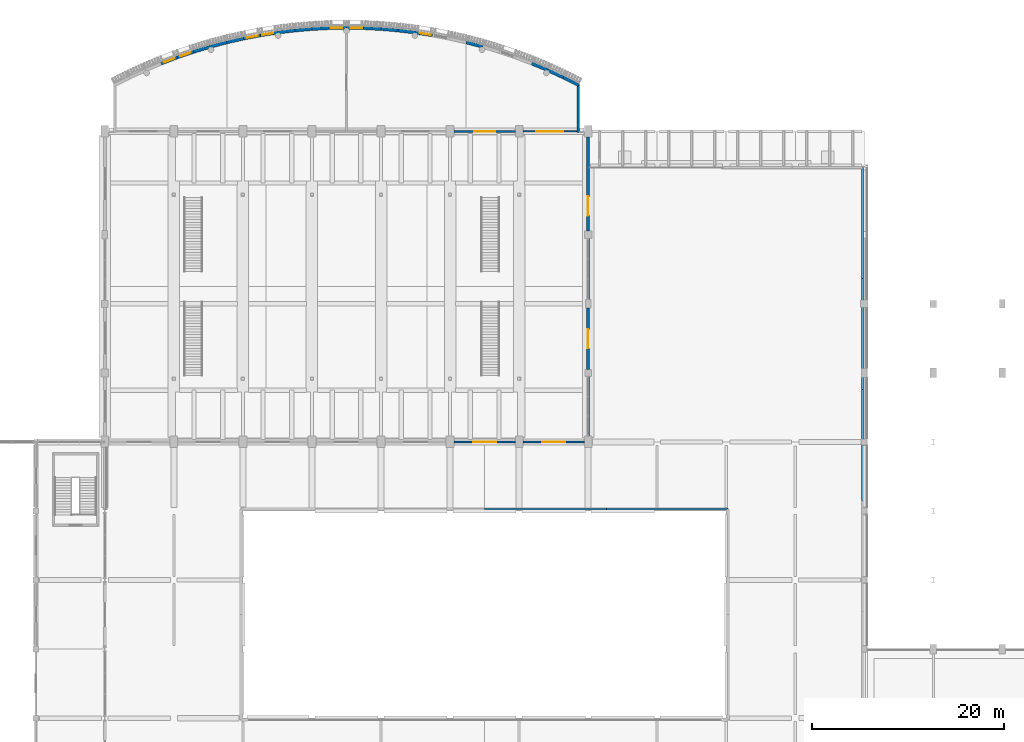
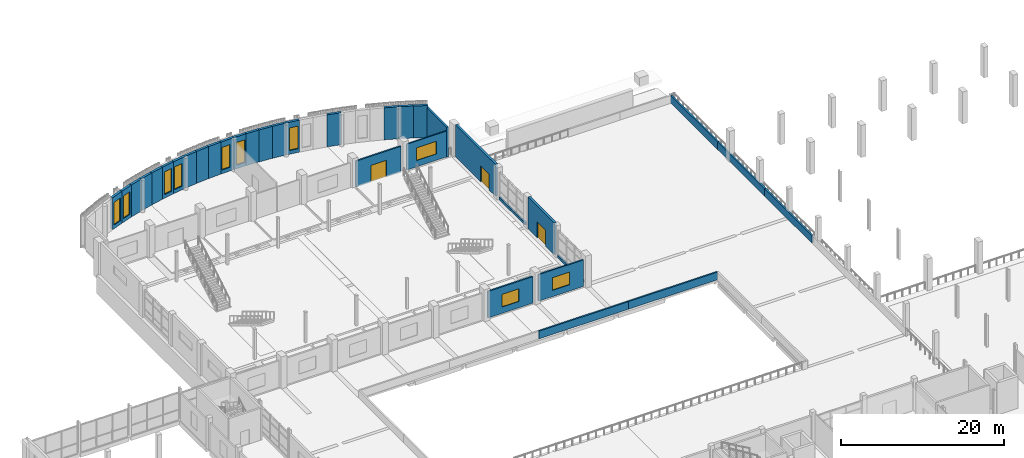
# One storey, part 62 of 82: 34 walls, 10 windows, 3 doors, 13 openings.
"""IFC4 building model written with IfcOpenShell, lengths in metres."""

import ifcopenshell
import ifcopenshell.guid

model = None  # the IFC model being written
_history = None  # IfcOwnerHistory: only IFC2X3 demands one
_inside = {}  # id of a spatial element -> (the spatial element, [elements in it])
_under = {}  # id of a project, library or spatial element -> (it, [spatial elements below it])
_declared = {}  # id of a project -> (the project, [libraries it declares])
_typed = {}  # id of a type object -> (the type object, [elements of that type])
_made_of = {}  # id of a material, layer set ... -> (it, [elements and type objects made of it])


def new_model(schema):
    """Start an empty IFC model of exactly this schema.

    Asked for "IFC4X3", IfcOpenShell would pick the latest addendum, in which some entities
    have other attributes; the version numbers below select the first issue.
    IFC2X3 requires an IfcOwnerHistory on every rooted entity: one is made here for all.
    """
    global model, _history
    if schema == "IFC4X3":
        model = ifcopenshell.file(schema_version=(4, 3, 0, 0))
    else:
        model = ifcopenshell.file(schema=schema)
    _inside.clear()
    _under.clear()
    _declared.clear()
    _typed.clear()
    _made_of.clear()
    _history = None
    if model.schema == "IFC2X3":
        org = make("IfcOrganization", Name="unknown")
        user = make(
            "IfcPersonAndOrganization",
            ThePerson=make("IfcPerson", FamilyName="unknown"),
            TheOrganization=org,
        )
        app = make(
            "IfcApplication",
            ApplicationDeveloper=org,
            Version="unknown",
            ApplicationFullName="unknown",
            ApplicationIdentifier="unknown",
        )
        _history = make(
            "IfcOwnerHistory",
            OwningUser=user,
            OwningApplication=app,
            ChangeAction="ADDED",
            CreationDate=0,
        )
    return model


def make(cls, **values):
    """One entity of the class cls with the attributes given. An attribute that is None is left unset."""
    return model.create_entity(
        cls, **{name: value for name, value in values.items() if value is not None}
    )


def rooted(cls, **values):
    """An entity with a GlobalId (a new one), such as an element, a storey or a relation."""
    return make(cls, GlobalId=ifcopenshell.guid.new(), OwnerHistory=_history, **values)


def si_unit(unit_type, name, prefix=None):
    """IfcSIUnit, for example si_unit("LENGTHUNIT", "METRE", prefix="MILLI")."""
    return make("IfcSIUnit", UnitType=unit_type, Prefix=prefix, Name=name)


def assignment(units):
    """IfcUnitAssignment: the units of a project."""
    return None if units is None else make("IfcUnitAssignment", Units=units)


def point(xyz):
    """IfcCartesianPoint."""
    return None if xyz is None else make("IfcCartesianPoint", Coordinates=xyz)


def direction(xyz):
    """IfcDirection."""
    return None if xyz is None else make("IfcDirection", DirectionRatios=xyz)


def frame(location, z_axis=None, x_axis=None):
    """IfcAxis2Placement3D, a coordinate frame: its origin and axes. An axis left out is left unset."""
    return make(
        "IfcAxis2Placement3D",
        Location=point(location),
        Axis=direction(z_axis),
        RefDirection=direction(x_axis),
    )


def frame_2d(location, x_axis=None):
    """IfcAxis2Placement2D, a coordinate frame in the plane: its origin and x axis."""
    return make(
        "IfcAxis2Placement2D", Location=point(location), RefDirection=direction(x_axis)
    )


def origin():
    """The frame at (0, 0, 0) with its axes left unset."""
    return frame((0.0, 0.0, 0.0))


def place(relative_to, where):
    """IfcLocalPlacement: puts the frame where relative to a parent placement (None: the world)."""
    return make(
        "IfcLocalPlacement", PlacementRelTo=relative_to, RelativePlacement=where
    )


def context(
    kind, dimensions, precision=None, world=None, true_north=None, identifier=None
):
    """IfcGeometricRepresentationContext, for example the 3D "Model" context."""
    return make(
        "IfcGeometricRepresentationContext",
        ContextIdentifier=identifier,
        ContextType=kind,
        CoordinateSpaceDimension=dimensions,
        Precision=precision,
        WorldCoordinateSystem=world,
        TrueNorth=true_north,
    )


def subcontext(parent, identifier, kind, view, scale=None):
    """IfcGeometricRepresentationSubContext, for example "Body" below "Model"."""
    return make(
        "IfcGeometricRepresentationSubContext",
        ContextIdentifier=identifier,
        ContextType=kind,
        ParentContext=parent,
        TargetScale=scale,
        TargetView=view,
    )


def project(units=None, contexts=None):
    """IfcProject with its units and contexts."""
    return rooted(
        "IfcProject",
        Name="project",
        RepresentationContexts=contexts,
        UnitsInContext=assignment(units),
    )


def spatial(cls, under=None, at=None, **own):
    """A site, building, storey or space (cls), placed at a placement, below another one or the project."""
    s = rooted(cls, ObjectPlacement=at, **own)
    if under is not None:
        _under.setdefault(under.id(), (under, []))[1].append(s)
    return s


def polyline(points):
    """IfcPolyline through the points."""
    return make("IfcPolyline", Points=[point(p) for p in points])


def profile(cls, at=None, kind="AREA", **sizes):
    """A parametric profile (cls). Its sizes go by their IFC names, for example OverallWidth=200.0."""
    return make(cls, ProfileType=kind, Position=at, **sizes)


def rectangle(**sizes):
    """IfcRectangleProfileDef."""
    return profile("IfcRectangleProfileDef", **sizes)


def outline(outer, holes=None, kind="AREA"):
    """IfcArbitraryClosedProfileDef: a profile drawn as a closed curve; with holes, ...WithVoids."""
    if holes is None:
        return make("IfcArbitraryClosedProfileDef", ProfileType=kind, OuterCurve=outer)
    return make(
        "IfcArbitraryProfileDefWithVoids",
        ProfileType=kind,
        OuterCurve=outer,
        InnerCurves=holes,
    )


def extrude(swept, where, along, depth):
    """IfcExtrudedAreaSolid: the profile swept, set in the frame where, extruded along a direction by depth."""
    return make(
        "IfcExtrudedAreaSolid",
        SweptArea=swept,
        Position=where,
        ExtrudedDirection=direction(along),
        Depth=depth,
    )


def shape(context_of_items, identifier, shape_type, items):
    """IfcShapeRepresentation: the items that make up one representation, for example the "Body"."""
    return make(
        "IfcShapeRepresentation",
        ContextOfItems=context_of_items,
        RepresentationIdentifier=identifier,
        RepresentationType=shape_type,
        Items=items,
    )


def material(Name=None, Category=None):
    """IfcMaterial."""
    return make("IfcMaterial", Name=Name, Category=Category)


def layer(
    of_material, thickness, ventilated=None, Name=None, Category=None, Priority=None
):
    """IfcMaterialLayer: one layer of a wall or slab, of a material (None: an air gap)."""
    return make(
        "IfcMaterialLayer",
        Material=of_material,
        LayerThickness=thickness,
        IsVentilated=ventilated,
        Name=Name,
        Category=Category,
        Priority=Priority,
    )


def layer_set(layers, Name=None):
    """IfcMaterialLayerSet."""
    return make("IfcMaterialLayerSet", MaterialLayers=layers, LayerSetName=Name)


def made_of(thing, what):
    """Note that an element or type object is made of a material, layer set ...; save() writes the relation."""
    if what is not None:
        _made_of.setdefault(what.id(), (what, []))[1].append(thing)
    return thing


def type_object(cls, material=None, **own):
    """A type object (cls), such as IfcWallType, which elements share."""
    return made_of(rooted(cls, **own), material)


def element(
    cls,
    number,
    at=None,
    inside=None,
    cuts=None,
    type_object=None,
    material=None,
    context=None,
    identifier="Body",
    shape_type=None,
    held_by="IfcProductDefinitionShape",
    body=None,
    shapes=None,
    **own,
):
    """One element of the class cls, such as IfcWall. Its Tag is "e" and its number.

    at: its placement. inside: the storey or other place that contains it. cuts: it is an
    opening in that element (IfcRelVoidsElement). A single representation is given by context,
    identifier, shape_type and body (its items); several are given by shapes. held_by: the class
    of the entity that holds the representations. save() writes the other relations.
    """
    e = rooted(cls, Tag="e%d" % number, ObjectPlacement=at, **own)
    if body is not None:
        shapes = [shape(context, identifier, shape_type, body)]
    if shapes is not None:
        e.Representation = make(held_by, Representations=shapes)
    if inside is not None:
        _inside.setdefault(inside.id(), (inside, []))[1].append(e)
    if cuts is not None:
        rooted(
            "IfcRelVoidsElement", RelatingBuildingElement=cuts, RelatedOpeningElement=e
        )
    if type_object is not None:
        _typed.setdefault(type_object.id(), (type_object, []))[1].append(e)
    return made_of(e, material)


def fill(opening, filler):
    """IfcRelFillsElement: the door or window that sits in an opening."""
    return rooted(
        "IfcRelFillsElement",
        RelatingOpeningElement=opening,
        RelatedBuildingElement=filler,
    )


def aggregate(whole, parts):
    """IfcRelAggregates: a whole, such as a stair, and the parts it consists of."""
    return rooted("IfcRelAggregates", RelatingObject=whole, RelatedObjects=parts)


def save(model, path):
    """Write the relations noted so far, then the file.

    IfcRelAggregates (storeys below a building ...), IfcRelContainedInSpatialStructure (elements
    in a storey), IfcRelDefinesByType, IfcRelAssociatesMaterial and IfcRelDeclares: one each for
    every whole, place, type object, material and project.
    """
    for whole, parts in _under.values():
        aggregate(whole, parts)
    for where, things in _inside.values():
        rooted(
            "IfcRelContainedInSpatialStructure",
            RelatedElements=things,
            RelatingStructure=where,
        )
    for kind, things in _typed.values():
        rooted("IfcRelDefinesByType", RelatedObjects=things, RelatingType=kind)
    for what, things in _made_of.values():
        rooted("IfcRelAssociatesMaterial", RelatedObjects=things, RelatingMaterial=what)
    for by, libraries in _declared.values():
        rooted("IfcRelDeclares", RelatingContext=by, RelatedDefinitions=libraries)
    model.write(path)


model = new_model("IFC4")

# Units and contexts
model_context = context("Model", 3, precision=1e-05, world=origin(), true_north=direction((0.0, 1.0)))
body_context = subcontext(model_context, "Body", "Model", "MODEL_VIEW")
ifc_project = project(units=[si_unit("LENGTHUNIT", "METRE"), si_unit("AREAUNIT", "SQUARE_METRE"), si_unit("VOLUMEUNIT", "CUBIC_METRE"), si_unit("PLANEANGLEUNIT", "RADIAN"), si_unit("MASSUNIT", "GRAM", prefix="KILO")], contexts=[model_context])

# Site, building, storey
site_placement = place(None, origin())
site = spatial("IfcSite", under=ifc_project, at=site_placement, CompositionType="ELEMENT")
building_placement = place(site_placement, origin())
building = spatial("IfcBuilding", under=site, at=building_placement, Name="Sardonyx Promenade Sports Hall", CompositionType="ELEMENT")
storey_placement = place(building_placement, frame((0.0, 0.0, 11.199951171875)))
storey = spatial("IfcBuildingStorey", under=building, at=storey_placement, Name="L02", CompositionType="ELEMENT", Elevation=11.199951171875)

# Wall, opening, window
ifc_material_1 = material(Name="Concrete C40/50", Category="concrete")
ifc_layer_1 = layer(ifc_material_1, 0.340087890625)
ifc_layer_set_1 = layer_set([ifc_layer_1], Name="Wall_Bow_Arc_340")
wall_type_1 = type_object("IfcWallType", Name="Wall_Bow_Arc_340", PredefinedType="SOLIDWALL", material=ifc_layer_set_1)
wall_1_placement = place(storey_placement, frame((34.674072265625, 111.475341796875, 0.0), z_axis=(0.0, 0.0, 1.0), x_axis=(0.934674543416, 0.35550456803, 0.0)))
wall_1 = element("IfcWall", 1, at=wall_1_placement, inside=storey, type_object=wall_type_1, Name="Bowed promenade wall EW07 L02 CH04", PredefinedType="SOLIDWALL", context=body_context, shape_type="SweptSolid", body=[
    extrude(outline(polyline([(0.002943, -0.17), (1.797057, -0.17), (1.802943, 0.17), (-0.002943, 0.17), (0.002943, -0.17)])), origin(), (0.0, 0.0, 1.0), 4.800048828125),
])
opening_1_placement = place(wall_1_placement, frame((0.31005859375, 0.0, 0.550048828125)))
opening_1 = element("IfcOpeningElement", 2, at=opening_1_placement, cuts=wall_1, Name="Opening W24", PredefinedType="OPENING", context=body_context, shape_type="SweptSolid", body=[
    extrude(rectangle(XDim=1.179931640625, YDim=3.39990234375, at=frame_2d((0.58984375, 1.699951171875))), frame((0.0, 0.18, 0.0), z_axis=(0.0, -1.0, 0.0), x_axis=(1.0, 0.0, 0.0)), (0.0, 0.0, 1.0), 0.36),
])
ifc_material_2 = material(Name="Double-glazed solar low-E aluminium window", Category="aluminium")
window_type_1 = type_object("IfcWindowType", Name="Win_Bow_Upper", PartitioningType="SINGLE_PANEL", PredefinedType="WINDOW", material=ifc_material_2)
window_1_placement = place(opening_1_placement, origin())
window_1 = element("IfcWindow", 3, at=window_1_placement, inside=storey, type_object=window_type_1, Name="Harbour daylight bay window W24 L02 CH04", OverallHeight=3.39990234375, OverallWidth=1.179931640625, PartitioningType="SINGLE_PANEL", PredefinedType="WINDOW", context=body_context, shape_type="SweptSolid", body=[
    extrude(rectangle(XDim=1.179931640625, YDim=3.39990234375, at=frame_2d((0.58984375, 1.699951171875))), frame((0.0, 0.030029296875, 0.0), z_axis=(0.0, -1.0, 0.0), x_axis=(1.0, 0.0, 0.0)), (0.0, 0.0, 1.0), 0.06005859375),
])
fill(opening_1, window_1)

wall_2_placement = place(storey_placement, frame((36.3564453125, 112.115234375, 0.0), z_axis=(0.0, 0.0, 1.0), x_axis=(0.946421657721, 0.322933500578, 0.0)))
wall_2 = element("IfcWall", 4, at=wall_2_placement, inside=storey, type_object=wall_type_1, Name="Bowed promenade wall EW07 L02 CH05", PredefinedType="SOLIDWALL", context=body_context, shape_type="SweptSolid", body=[
    extrude(outline(polyline([(0.002943, -0.17), (1.797057, -0.17), (1.802942, 0.17), (-0.002943, 0.17), (0.002943, -0.17)])), origin(), (0.0, 0.0, 1.0), 4.800048828125),
])
opening_2_placement = place(wall_2_placement, frame((0.31005859375, 0.0, 0.550048828125)))
opening_2 = element("IfcOpeningElement", 5, at=opening_2_placement, cuts=wall_2, Name="Opening W24", PredefinedType="OPENING", context=body_context, shape_type="SweptSolid", body=[
    extrude(rectangle(XDim=1.179931640625, YDim=3.39990234375, at=frame_2d((0.58984375, 1.699951171875))), frame((0.0, 0.18, 0.0), z_axis=(0.0, -1.0, 0.0), x_axis=(1.0, 0.0, 0.0)), (0.0, 0.0, 1.0), 0.36),
])
window_2_placement = place(opening_2_placement, origin())
window_2 = element("IfcWindow", 6, at=window_2_placement, inside=storey, type_object=window_type_1, Name="Harbour daylight bay window W24 L02 CH05", OverallHeight=3.39990234375, OverallWidth=1.179931640625, PartitioningType="SINGLE_PANEL", PredefinedType="WINDOW", context=body_context, shape_type="SweptSolid", body=[
    extrude(rectangle(XDim=1.179931640625, YDim=3.39990234375, at=frame_2d((0.58984375, 1.699951171875))), frame((0.0, 0.030029296875, 0.0), z_axis=(0.0, -1.0, 0.0), x_axis=(1.0, 0.0, 0.0)), (0.0, 0.0, 1.0), 0.06005859375),
])
fill(opening_2, window_2)

# Walls
wall_3_placement = place(storey_placement, frame((38.06005859375, 112.696533203125, 0.0), z_axis=(0.0, 0.0, 1.0), x_axis=(0.956993600338, 0.290109029354, 0.0)))
element("IfcWall", 7, at=wall_3_placement, inside=storey, type_object=wall_type_1, Name="Bowed promenade wall EW07 L02 CH06", PredefinedType="SOLIDWALL", context=body_context, shape_type="SweptSolid", body=[
    extrude(outline(polyline([(0.002943, -0.17), (1.797057, -0.17), (1.802942, 0.17), (-0.002943, 0.17), (0.002943, -0.17)])), origin(), (0.0, 0.0, 1.0), 4.800048828125),
])
wall_4_placement = place(storey_placement, frame((39.78271484375, 113.21875, 0.0), z_axis=(0.0, 0.0, 1.0), x_axis=(0.966504582235, 0.256649357135, 0.0)))
element("IfcWall", 8, at=wall_4_placement, inside=storey, type_object=wall_type_1, Name="Bowed promenade wall EW07 L02 CH07", PredefinedType="SOLIDWALL", context=body_context, shape_type="SweptSolid", body=[
    extrude(outline(polyline([(0.002943, -0.17), (1.797058, -0.17), (1.802943, 0.17), (-0.002943, 0.17), (0.002943, -0.17)])), origin(), (0.0, 0.0, 1.0), 4.800048828125),
])
wall_5_placement = place(storey_placement, frame((41.522216796875, 113.6806640625, 0.0), z_axis=(0.0, 0.0, 1.0), x_axis=(0.974791962114, 0.223115733641, 0.0)))
element("IfcWall", 9, at=wall_5_placement, inside=storey, type_object=wall_type_1, Name="Bowed promenade wall EW07 L02 CH08", PredefinedType="SOLIDWALL", context=body_context, shape_type="SweptSolid", body=[
    extrude(outline(polyline([(0.002943, -0.17), (1.797057, -0.17), (1.802943, 0.17), (-0.002943, 0.17), (0.002943, -0.17)])), origin(), (0.0, 0.0, 1.0), 4.800048828125),
])

# Wall, opening, window
wall_6_placement = place(storey_placement, frame((43.27685546875, 114.082275390625, 0.0), z_axis=(0.0, 0.0, 1.0), x_axis=(0.981913462005, 0.189330275271, 0.0)))
wall_6 = element("IfcWall", 10, at=wall_6_placement, inside=storey, type_object=wall_type_1, Name="Bowed promenade wall EW07 L02 CH09", PredefinedType="SOLIDWALL", context=body_context, shape_type="SweptSolid", body=[
    extrude(outline(polyline([(0.002943, -0.17), (1.797057, -0.17), (1.802942, 0.17), (-0.002943, 0.17), (0.002943, -0.17)])), origin(), (0.0, 0.0, 1.0), 4.800048828125),
])
opening_3_placement = place(wall_6_placement, frame((0.31005859375, 0.0, 0.550048828125)))
opening_3 = element("IfcOpeningElement", 11, at=opening_3_placement, cuts=wall_6, Name="Opening W24", PredefinedType="OPENING", context=body_context, shape_type="SweptSolid", body=[
    extrude(rectangle(XDim=1.179931640625, YDim=3.39990234375, at=frame_2d((0.58984375, 1.699951171875))), frame((0.0, 0.18, 0.0), z_axis=(0.0, -1.0, 0.0), x_axis=(1.0, 0.0, 0.0)), (0.0, 0.0, 1.0), 0.36),
])
window_3_placement = place(opening_3_placement, origin())
window_3 = element("IfcWindow", 12, at=window_3_placement, inside=storey, type_object=window_type_1, Name="Harbour daylight bay window W24 L02 CH09", OverallHeight=3.39990234375, OverallWidth=1.179931640625, PartitioningType="SINGLE_PANEL", PredefinedType="WINDOW", context=body_context, shape_type="SweptSolid", body=[
    extrude(rectangle(XDim=1.179931640625, YDim=3.39990234375, at=frame_2d((0.58984375, 1.699951171875))), frame((0.0, 0.030029296875, 0.0), z_axis=(0.0, -1.0, 0.0), x_axis=(1.0, 0.0, 0.0)), (0.0, 0.0, 1.0), 0.06005859375),
])
fill(opening_3, window_3)

wall_7_placement = place(storey_placement, frame((45.04443359375, 114.423095703125, 0.0), z_axis=(0.0, 0.0, 1.0), x_axis=(0.987886929918, 0.155175428783, 0.0)))
wall_7 = element("IfcWall", 13, at=wall_7_placement, inside=storey, type_object=wall_type_1, Name="Bowed promenade wall EW07 L02 CH10", PredefinedType="SOLIDWALL", context=body_context, shape_type="SweptSolid", body=[
    extrude(outline(polyline([(0.002943, -0.17), (1.797058, -0.17), (1.802943, 0.17), (-0.002943, 0.17), (0.002943, -0.17)])), origin(), (0.0, 0.0, 1.0), 4.800048828125),
])
opening_4_placement = place(wall_7_placement, frame((0.159912109375, 0.0, 0.550048828125)))
opening_4 = element("IfcOpeningElement", 14, at=opening_4_placement, cuts=wall_7, Name="Opening W24", PredefinedType="OPENING", context=body_context, shape_type="SweptSolid", body=[
    extrude(rectangle(XDim=1.179931640625, YDim=3.39990234375, at=frame_2d((0.58984375, 1.699951171875))), frame((0.0, 0.18, 0.0), z_axis=(0.0, -1.0, 0.0), x_axis=(1.0, 0.0, 0.0)), (0.0, 0.0, 1.0), 0.36),
])
window_4_placement = place(opening_4_placement, origin())
window_4 = element("IfcWindow", 15, at=window_4_placement, inside=storey, type_object=window_type_1, Name="Harbour daylight bay window W24 L02 CH10", OverallHeight=3.39990234375, OverallWidth=1.179931640625, PartitioningType="SINGLE_PANEL", PredefinedType="WINDOW", context=body_context, shape_type="SweptSolid", body=[
    extrude(rectangle(XDim=1.179931640625, YDim=3.39990234375, at=frame_2d((0.58984375, 1.699951171875))), frame((0.0, 0.030029296875, 0.0), z_axis=(0.0, -1.0, 0.0), x_axis=(1.0, 0.0, 0.0)), (0.0, 0.0, 1.0), 0.06005859375),
])
fill(opening_4, window_4)

# Walls
wall_8_placement = place(storey_placement, frame((46.822509765625, 114.702392578125, 0.0), z_axis=(0.0, 0.0, 1.0), x_axis=(0.992671296073, 0.120845761006, 0.0)))
element("IfcWall", 16, at=wall_8_placement, inside=storey, type_object=wall_type_1, Name="Bowed promenade wall EW07 L02 CH11", PredefinedType="SOLIDWALL", context=body_context, shape_type="SweptSolid", body=[
    extrude(outline(polyline([(0.002943, -0.17), (1.797057, -0.17), (1.802942, 0.17), (-0.002943, 0.17), (0.002943, -0.17)])), origin(), (0.0, 0.0, 1.0), 4.800048828125),
])
wall_9_placement = place(storey_placement, frame((48.609375, 114.919921875, 0.0), z_axis=(0.0, 0.0, 1.0), x_axis=(0.996260411494, 0.086401345422, 0.0)))
element("IfcWall", 17, at=wall_9_placement, inside=storey, type_object=wall_type_1, Name="Bowed promenade wall EW07 L02 CH12", PredefinedType="SOLIDWALL", context=body_context, shape_type="SweptSolid", body=[
    extrude(outline(polyline([(0.002943, -0.17), (1.797058, -0.17), (1.802943, 0.17), (-0.002943, 0.17), (0.002943, -0.17)])), origin(), (0.0, 0.0, 1.0), 4.800048828125),
])
wall_10_placement = place(storey_placement, frame((50.402587890625, 115.075439453125, 0.0), z_axis=(0.0, 0.0, 1.0), x_axis=(0.998649863362, 0.051946611119, 0.0)))
element("IfcWall", 18, at=wall_10_placement, inside=storey, type_object=wall_type_1, Name="Bowed promenade wall EW07 L02 CH13", PredefinedType="SOLIDWALL", context=body_context, shape_type="SweptSolid", body=[
    extrude(outline(polyline([(0.002943, -0.17), (1.797057, -0.17), (1.802943, 0.17), (-0.002943, 0.17), (0.002943, -0.17)])), origin(), (0.0, 0.0, 1.0), 4.800048828125),
])

# Wall, opening, window
wall_11_placement = place(storey_placement, frame((52.2001953125, 115.1689453125, 0.0), z_axis=(0.0, 0.0, 1.0), x_axis=(0.999851642284, 0.017224790907, 0.0)))
wall_11 = element("IfcWall", 19, at=wall_11_placement, inside=storey, type_object=wall_type_1, Name="Bowed promenade wall EW07 L02 CH14", PredefinedType="SOLIDWALL", context=body_context, shape_type="SweptSolid", body=[
    extrude(outline(polyline([(0.002943, -0.17), (1.797057, -0.17), (1.802942, 0.17), (-0.002943, 0.17), (0.002943, -0.17)])), origin(), (0.0, 0.0, 1.0), 4.800048828125),
])
opening_5_placement = place(wall_11_placement, frame((0.159912109375, 0.0, 0.550048828125)))
opening_5 = element("IfcOpeningElement", 20, at=opening_5_placement, cuts=wall_11, Name="Opening W24", PredefinedType="OPENING", context=body_context, shape_type="SweptSolid", body=[
    extrude(rectangle(XDim=1.179931640625, YDim=3.39990234375, at=frame_2d((0.58984375, 1.699951171875))), frame((0.0, 0.18, 0.0), z_axis=(0.0, -1.0, 0.0), x_axis=(1.0, 0.0, 0.0)), (0.0, 0.0, 1.0), 0.36),
])
window_5_placement = place(opening_5_placement, origin())
window_5 = element("IfcWindow", 21, at=window_5_placement, inside=storey, type_object=window_type_1, Name="Harbour daylight bay window W24 L02 CH14", OverallHeight=3.39990234375, OverallWidth=1.179931640625, PartitioningType="SINGLE_PANEL", PredefinedType="WINDOW", context=body_context, shape_type="SweptSolid", body=[
    extrude(rectangle(XDim=1.179931640625, YDim=3.39990234375, at=frame_2d((0.58984375, 1.699951171875))), frame((0.0, 0.030029296875, 0.0), z_axis=(0.0, -1.0, 0.0), x_axis=(1.0, 0.0, 0.0)), (0.0, 0.0, 1.0), 0.06005859375),
])
fill(opening_5, window_5)

wall_12_placement = place(storey_placement, frame((54.0, 115.199951171875, 0.0), z_axis=(0.0, 0.0, 1.0), x_axis=(0.999851642284, -0.017224790907, 0.0)))
wall_12 = element("IfcWall", 22, at=wall_12_placement, inside=storey, type_object=wall_type_1, Name="Bowed promenade wall EW07 L02 CH15", PredefinedType="SOLIDWALL", context=body_context, shape_type="SweptSolid", body=[
    extrude(outline(polyline([(0.002943, -0.17), (1.797057, -0.17), (1.802942, 0.17), (-0.002943, 0.17), (0.002943, -0.17)])), origin(), (0.0, 0.0, 1.0), 4.800048828125),
])
opening_6_placement = place(wall_12_placement, frame((0.4599609375, 0.0, 0.550048828125)))
opening_6 = element("IfcOpeningElement", 23, at=opening_6_placement, cuts=wall_12, Name="Opening W24", PredefinedType="OPENING", context=body_context, shape_type="SweptSolid", body=[
    extrude(rectangle(XDim=1.179931640625, YDim=3.39990234375, at=frame_2d((0.58984375, 1.699951171875))), frame((0.0, 0.18, 0.0), z_axis=(0.0, -1.0, 0.0), x_axis=(1.0, 0.0, 0.0)), (0.0, 0.0, 1.0), 0.36),
])
window_6_placement = place(opening_6_placement, origin())
window_6 = element("IfcWindow", 24, at=window_6_placement, inside=storey, type_object=window_type_1, Name="Harbour daylight bay window W24 L02 CH15", OverallHeight=3.39990234375, OverallWidth=1.179931640625, PartitioningType="SINGLE_PANEL", PredefinedType="WINDOW", context=body_context, shape_type="SweptSolid", body=[
    extrude(rectangle(XDim=1.179931640625, YDim=3.39990234375, at=frame_2d((0.58984375, 1.699951171875))), frame((0.0, 0.030029296875, 0.0), z_axis=(0.0, -1.0, 0.0), x_axis=(1.0, 0.0, 0.0)), (0.0, 0.0, 1.0), 0.06005859375),
])
fill(opening_6, window_6)

# Walls
wall_13_placement = place(storey_placement, frame((55.7998046875, 115.1689453125, 0.0), z_axis=(0.0, 0.0, 1.0), x_axis=(0.998649863362, -0.051946611119, 0.0)))
element("IfcWall", 25, at=wall_13_placement, inside=storey, type_object=wall_type_1, Name="Bowed promenade wall EW07 L02 CH16", PredefinedType="SOLIDWALL", context=body_context, shape_type="SweptSolid", body=[
    extrude(outline(polyline([(0.002943, -0.17), (1.797057, -0.17), (1.802943, 0.17), (-0.002943, 0.17), (0.002943, -0.17)])), origin(), (0.0, 0.0, 1.0), 4.800048828125),
])
wall_14_placement = place(storey_placement, frame((57.597412109375, 115.075439453125, 0.0), z_axis=(0.0, 0.0, 1.0), x_axis=(0.996260411494, -0.086401345422, 0.0)))
element("IfcWall", 26, at=wall_14_placement, inside=storey, type_object=wall_type_1, Name="Bowed promenade wall EW07 L02 CH17", PredefinedType="SOLIDWALL", context=body_context, shape_type="SweptSolid", body=[
    extrude(outline(polyline([(0.002943, -0.17), (1.797058, -0.17), (1.802943, 0.17), (-0.002943, 0.17), (0.002943, -0.17)])), origin(), (0.0, 0.0, 1.0), 4.800048828125),
])
wall_15_placement = place(storey_placement, frame((59.390625, 114.919921875, 0.0), z_axis=(0.0, 0.0, 1.0), x_axis=(0.992671296073, -0.120845761006, 0.0)))
element("IfcWall", 27, at=wall_15_placement, inside=storey, type_object=wall_type_1, Name="Bowed promenade wall EW07 L02 CH18", PredefinedType="SOLIDWALL", context=body_context, shape_type="SweptSolid", body=[
    extrude(outline(polyline([(0.002943, -0.17), (1.797057, -0.17), (1.802942, 0.17), (-0.002943, 0.17), (0.002943, -0.17)])), origin(), (0.0, 0.0, 1.0), 4.800048828125),
])

# Wall, opening, window
wall_16_placement = place(storey_placement, frame((61.177490234375, 114.702392578125, 0.0), z_axis=(0.0, 0.0, 1.0), x_axis=(0.987886929918, -0.155175428783, 0.0)))
wall_16 = element("IfcWall", 28, at=wall_16_placement, inside=storey, type_object=wall_type_1, Name="Bowed promenade wall EW07 L02 CH19", PredefinedType="SOLIDWALL", context=body_context, shape_type="SweptSolid", body=[
    extrude(outline(polyline([(0.002943, -0.17), (1.797058, -0.17), (1.802943, 0.17), (-0.002943, 0.17), (0.002943, -0.17)])), origin(), (0.0, 0.0, 1.0), 4.800048828125),
])
opening_7_placement = place(wall_16_placement, frame((0.4599609375, 0.0, 0.550048828125)))
opening_7 = element("IfcOpeningElement", 29, at=opening_7_placement, cuts=wall_16, Name="Opening W24", PredefinedType="OPENING", context=body_context, shape_type="SweptSolid", body=[
    extrude(rectangle(XDim=1.179931640625, YDim=3.39990234375, at=frame_2d((0.58984375, 1.699951171875))), frame((0.0, 0.18, 0.0), z_axis=(0.0, -1.0, 0.0), x_axis=(1.0, 0.0, 0.0)), (0.0, 0.0, 1.0), 0.36),
])
window_7_placement = place(opening_7_placement, origin())
window_7 = element("IfcWindow", 30, at=window_7_placement, inside=storey, type_object=window_type_1, Name="Harbour daylight bay window W24 L02 CH19", OverallHeight=3.39990234375, OverallWidth=1.179931640625, PartitioningType="SINGLE_PANEL", PredefinedType="WINDOW", context=body_context, shape_type="SweptSolid", body=[
    extrude(rectangle(XDim=1.179931640625, YDim=3.39990234375, at=frame_2d((0.58984375, 1.699951171875))), frame((0.0, 0.030029296875, 0.0), z_axis=(0.0, -1.0, 0.0), x_axis=(1.0, 0.0, 0.0)), (0.0, 0.0, 1.0), 0.06005859375),
])
fill(opening_7, window_7)

# Walls
for number, where, z_axis, x_axis, name in (
    (31, (66.477783203125, 113.6806640625, 0.0), (0.0, 0.0, 1.0), (0.966504582235, -0.256649357135, 0.0), "Bowed promenade wall EW07 L02 CH22"),
    (32, (73.325927734375, 111.475341796875, 0.0), (0.0, 0.0, 1.0), (0.921803799964, -0.387656748131, 0.0), "Bowed promenade wall EW07 L02 CH26"),
):
    element("IfcWall", number, at=place(storey_placement, frame(where, z_axis=z_axis, x_axis=x_axis)), inside=storey, type_object=wall_type_1, Name=name, PredefinedType="SOLIDWALL", context=body_context, shape_type="SweptSolid", body=[
        extrude(outline(polyline([(0.002943, -0.17), (1.797058, -0.17), (1.802943, 0.17), (-0.002943, 0.17), (0.002943, -0.17)])), origin(), (0.0, 0.0, 1.0), 4.800048828125),
    ])
for number, where, z_axis, x_axis, name in (
    (33, (74.985107421875, 110.777587890625, 0.0), (0.0, 0.0, 1.0), (0.907808472517, -0.419384998808, 0.0), "Bowed promenade wall EW07 L02 CH27"),
    (34, (76.619140625, 110.022705078125, 0.0), (0.0, 0.0, 1.0), (0.892821085875, -0.450411488104, 0.0), "Bowed promenade wall EW07 L02 CH28"),
):
    element("IfcWall", number, at=place(storey_placement, frame(where, z_axis=z_axis, x_axis=x_axis)), inside=storey, type_object=wall_type_1, Name=name, PredefinedType="SOLIDWALL", context=body_context, shape_type="SweptSolid", body=[
        extrude(outline(polyline([(0.002943, -0.17), (1.797057, -0.17), (1.802943, 0.17), (-0.002943, 0.17), (0.002943, -0.17)])), origin(), (0.0, 0.0, 1.0), 4.800048828125),
    ])

# Wall, opening, door
ifc_material_3 = material(Name="Concrete C40/50", Category="concrete")
ifc_layer_2 = layer(ifc_material_3, 0.320068359375)
ifc_layer_set_2 = layer_set([ifc_layer_2], Name="Wall_Ext_Court_320")
wall_type_2 = type_object("IfcWallType", Name="Wall_Ext_Court_320", PredefinedType="SOLIDWALL", material=ifc_layer_set_2)
wall_17_placement = place(storey_placement, frame((79.199951171875, 103.81494140625, 0.0), z_axis=(0.0, 0.0, 1.0), x_axis=(0.0, -1.0, 0.0)))
wall_17 = element("IfcWall", 35, at=wall_17_placement, inside=storey, type_object=wall_type_2, Name="Exterior wall EW01 L02 #221", PredefinedType="SOLIDWALL", context=body_context, shape_type="SweptSolid", body=[
    extrude(rectangle(XDim=9.829833984375, YDim=0.320068359375, at=frame_2d((4.9150390625, 0.0))), origin(), (0.0, 0.0, 1.0), 4.800048828125),
])
opening_8_placement = place(wall_17_placement, frame((6.199951171875, 0.0, 0.0)))
opening_8 = element("IfcOpeningElement", 36, at=opening_8_placement, cuts=wall_17, Name="Opening ED12", PredefinedType="OPENING", context=body_context, shape_type="SweptSolid", body=[
    extrude(rectangle(XDim=2.0, YDim=2.39990234375, at=frame_2d((1.0, 1.199951171875))), frame((0.0, 0.17, 0.0), z_axis=(0.0, -1.0, 0.0), x_axis=(1.0, 0.0, 0.0)), (0.0, 0.0, 1.0), 0.34),
])
ifc_material_4 = material(Name="Thermally broken anodised aluminium glazed door", Category="aluminium")
door_type_1 = type_object("IfcDoorType", Name="Door_Ext_Garden_200x240", OperationType="NOTDEFINED", PredefinedType="DOOR", material=ifc_material_4)
door_1_placement = place(opening_8_placement, origin())
door_1 = element("IfcDoor", 37, at=door_1_placement, inside=storey, type_object=door_type_1, Name="Exterior exit door GD01A", OperationType="DOUBLE_DOOR_SINGLE_SWING", OverallHeight=2.39990234375, OverallWidth=2.0, PredefinedType="DOOR", context=body_context, shape_type="SweptSolid", body=[
    extrude(rectangle(XDim=2.0, YDim=2.39990234375, at=frame_2d((1.0, 1.199951171875))), frame((0.0, 0.02490234375, 0.0), z_axis=(0.0, -1.0, 0.0), x_axis=(1.0, 0.0, 0.0)), (0.0, 0.0, 1.0), 0.050048828125),
])
fill(opening_8, door_1)

wall_18_placement = place(storey_placement, frame((79.199951171875, 85.965087890625, 0.0), z_axis=(0.0, 0.0, 1.0), x_axis=(0.0, -1.0, 0.0)))
wall_18 = element("IfcWall", 38, at=wall_18_placement, inside=storey, type_object=wall_type_2, Name="Exterior wall EW01 L02 #223", PredefinedType="SOLIDWALL", context=body_context, shape_type="SweptSolid", body=[
    extrude(rectangle(XDim=6.43017578125, YDim=0.320068359375, at=frame_2d((3.215087890625, 0.0))), origin(), (0.0, 0.0, 1.0), 4.800048828125),
])
opening_9_placement = place(wall_18_placement, frame((2.215087890625, 0.0, 0.0)))
opening_9 = element("IfcOpeningElement", 39, at=opening_9_placement, cuts=wall_18, Name="Opening ED12", PredefinedType="OPENING", context=body_context, shape_type="SweptSolid", body=[
    extrude(rectangle(XDim=2.0, YDim=2.39990234375, at=frame_2d((1.0, 1.199951171875))), frame((0.0, 0.17, 0.0), z_axis=(0.0, -1.0, 0.0), x_axis=(1.0, 0.0, 0.0)), (0.0, 0.0, 1.0), 0.34),
])
door_2_placement = place(opening_9_placement, origin())
door_2 = element("IfcDoor", 40, at=door_2_placement, inside=storey, type_object=door_type_1, Name="Exterior exit door GD01B", OperationType="DOUBLE_DOOR_SINGLE_SWING", OverallHeight=2.39990234375, OverallWidth=2.0, PredefinedType="DOOR", context=body_context, shape_type="SweptSolid", body=[
    extrude(rectangle(XDim=2.0, YDim=2.39990234375, at=frame_2d((1.0, 1.199951171875))), frame((0.0, 0.02490234375, 0.0), z_axis=(0.0, -1.0, 0.0), x_axis=(1.0, 0.0, 0.0)), (0.0, 0.0, 1.0), 0.050048828125),
])
fill(opening_9, door_2)

# Walls
ifc_material_5 = material(Name="Masonry CMU 15 MPa", Category="masonry")
ifc_layer_3 = layer(ifc_material_5, 0.239990234375)
ifc_layer_set_3 = layer_set([ifc_layer_3], Name="Wall_Ext_Spandrel_240")
wall_type_3 = type_object("IfcWallType", Name="Wall_Ext_Spandrel_240", PredefinedType="SOLIDWALL", material=ifc_layer_set_3)
wall_19_placement = place(storey_placement, frame((79.199951171875, 93.215087890625, 0.0), z_axis=(0.0, 0.0, 1.0), x_axis=(0.0, -1.0, 0.0)))
element("IfcWall", 41, at=wall_19_placement, inside=storey, type_object=wall_type_3, Name="Curtain-wall sill spandrel L02 #222", PredefinedType="SOLIDWALL", context=body_context, shape_type="SweptSolid", body=[
    extrude(rectangle(XDim=6.380126953125, YDim=0.239990234375, at=frame_2d((3.18994140625, 0.0))), origin(), (0.0, 0.0, 1.0), 0.400146484375),
])
wall_20_placement = place(storey_placement, frame((79.199951171875, 78.864990234375, 0.0), z_axis=(0.0, 0.0, 1.0), x_axis=(0.0, -1.0, 0.0)))
element("IfcWall", 42, at=wall_20_placement, inside=storey, type_object=wall_type_3, Name="Curtain-wall sill spandrel L02 #224", PredefinedType="SOLIDWALL", context=body_context, shape_type="SweptSolid", body=[
    extrude(rectangle(XDim=6.280029296875, YDim=0.239990234375, at=frame_2d((3.14013671875, 0.0))), origin(), (0.0, 0.0, 1.0), 0.400146484375),
])
ifc_material_6 = material(Name="Concrete C40/50", Category="concrete")
ifc_layer_4 = layer(ifc_material_6, 0.280029296875)
ifc_layer_set_4 = layer_set([ifc_layer_4], Name="Wall_Ext_Wing_280")
wall_type_4 = type_object("IfcWallType", Name="Wall_Ext_Wing_280", PredefinedType="SOLIDWALL", material=ifc_layer_set_4)
wall_21_placement = place(storey_placement, frame((78.17626953125, 109.291748046875, 0.0), z_axis=(0.0, 0.0, 1.0), x_axis=(0.0, -1.0, 0.0)))
element("IfcWall", 43, at=wall_21_placement, inside=storey, type_object=wall_type_4, Name="Bowed gallery east return wall L02", PredefinedType="SOLIDWALL", context=body_context, shape_type="SweptSolid", body=[
    extrude(rectangle(XDim=5.041748046875, YDim=0.280029296875, at=frame_2d((2.52099609375, 0.0))), origin(), (0.0, 0.0, 1.0), 4.489990234375),
])
ifc_material_7 = material(Name="Concrete C40/50", Category="concrete")
ifc_layer_5 = layer(ifc_material_7, 0.219970703125)
ifc_layer_set_5 = layer_set([ifc_layer_5], Name="Wall_Parapet_Roof_220")
wall_type_5 = type_object("IfcWallType", Name="Wall_Parapet_Roof_220", PredefinedType="PARAPET", material=ifc_layer_set_5)
for number, where, z_axis, x_axis, name in (
    (44, (107.800048828125, 100.60009765625, 0.0), (0.0, 0.0, 1.0), (0.0, -1.0, 0.0), "Roof parapet PP02 L02 #3"),
    (45, (107.800048828125, 89.030029296875, 0.0), (0.0, 0.0, 1.0), (0.0, -1.0, 0.0), "Roof parapet PP02 L02 #4"),
    (46, (107.800048828125, 77.4599609375, 0.0), (0.0, 0.0, 1.0), (0.0, -1.0, 0.0), "Roof parapet PP02 L02 #5"),
):
    element("IfcWall", number, at=place(storey_placement, frame(where, z_axis=z_axis, x_axis=x_axis)), inside=storey, type_object=wall_type_5, Name=name, PredefinedType="PARAPET", context=body_context, shape_type="SweptSolid", body=[
        extrude(rectangle(XDim=11.570068359375, YDim=0.219970703125, at=frame_2d((5.78515625, 0.0))), origin(), (0.0, 0.0, 1.0), 1.150146484375),
    ])
wall_22_placement = place(storey_placement, frame((68.39990234375, 65.0, 0.0), z_axis=(0.0, 0.0, 1.0), x_axis=(1.0, 0.0, 0.0)))
element("IfcWall", 47, at=wall_22_placement, inside=storey, type_object=wall_type_5, Name="Roof parapet PP02 L02 #13", PredefinedType="PARAPET", context=body_context, shape_type="SweptSolid", body=[
    extrude(rectangle(XDim=12.7001953125, YDim=0.219970703125, at=frame_2d((6.35009765625, 0.0))), origin(), (0.0, 0.0, 1.0), 1.150146484375),
])
wall_23_placement = place(storey_placement, frame((81.10009765625, 65.0, 0.0), z_axis=(0.0, 0.0, 1.0), x_axis=(1.0, 0.0, 0.0)))
element("IfcWall", 48, at=wall_23_placement, inside=storey, type_object=wall_type_5, Name="Roof parapet PP02 L02 #14", PredefinedType="PARAPET", context=body_context, shape_type="SweptSolid", body=[
    extrude(rectangle(XDim=12.699951171875, YDim=0.219970703125, at=frame_2d((6.35009765625, 0.0))), origin(), (0.0, 0.0, 1.0), 1.150146484375),
])

# Wall, opening, window
ifc_material_8 = material(Name="Twin-stud acoustic gypsum partition", Category="gypsum")
ifc_layer_6 = layer(ifc_material_8, 0.169921875)
ifc_layer_set_6 = layer_set([ifc_layer_6], Name="Wall_Part_Acoust_170")
wall_type_6 = type_object("IfcWallType", Name="Wall_Part_Acoust_170", PredefinedType="PARTITIONING", material=ifc_layer_set_6)
wall_24_placement = place(storey_placement, frame((72.39990234375, 104.39990234375, 0.0), z_axis=(0.0, 0.0, 1.0), x_axis=(1.0, 0.0, 0.0)))
wall_24 = element("IfcWall", 49, at=wall_24_placement, inside=storey, type_object=wall_type_6, Name="Interior partition PW06 L02 #412", PredefinedType="PARTITIONING", context=body_context, shape_type="SweptSolid", body=[
    extrude(rectangle(XDim=5.62646484375, YDim=0.169921875, at=frame_2d((2.813232421875, 0.0))), origin(), (0.0, 0.0, 1.0), 3.880126953125),
])
opening_10_placement = place(wall_24_placement, frame((1.4130859375, 0.0, 0.949951171875)))
opening_10 = element("IfcOpeningElement", 50, at=opening_10_placement, cuts=wall_24, Name="Opening IW06", PredefinedType="OPENING", context=body_context, shape_type="SweptSolid", body=[
    extrude(rectangle(XDim=2.800048828125, YDim=1.89990234375, at=frame_2d((1.39990234375, 0.949951171875))), frame((0.0, 0.095, 0.0), z_axis=(0.0, -1.0, 0.0), x_axis=(1.0, 0.0, 0.0)), (0.0, 0.0, 1.0), 0.19),
])
ifc_material_9 = material(Name="Acoustic laminated sports viewing glazing EI 60", Category="glass")
window_type_2 = type_object("IfcWindowType", Name="IWin_Arena_280x190", PartitioningType="DOUBLE_PANEL_VERTICAL", PredefinedType="WINDOW", material=ifc_material_9)
window_8_placement = place(opening_10_placement, origin())
window_8 = element("IfcWindow", 51, at=window_8_placement, inside=storey, type_object=window_type_2, Name="Internal viewing window IW06 L02 #33", OverallHeight=1.89990234375, OverallWidth=2.800048828125, PartitioningType="SINGLE_PANEL", PredefinedType="WINDOW", context=body_context, shape_type="SweptSolid", body=[
    extrude(rectangle(XDim=2.800048828125, YDim=1.89990234375, at=frame_2d((1.39990234375, 0.949951171875))), frame((0.0, 0.030029296875, 0.0), z_axis=(0.0, -1.0, 0.0), x_axis=(1.0, 0.0, 0.0)), (0.0, 0.0, 1.0), 0.06005859375),
])
fill(opening_10, window_8)

# Wall, opening, door
ifc_material_10 = material(Name="Masonry CMU 15 MPa", Category="masonry")
ifc_layer_7 = layer(ifc_material_10, 0.2099609375)
ifc_layer_set_7 = layer_set([ifc_layer_7], Name="Wall_Part_Block_210")
wall_type_7 = type_object("IfcWallType", Name="Wall_Part_Block_210", PredefinedType="PARTITIONING", material=ifc_layer_set_7)
wall_25_placement = place(storey_placement, frame((65.199951171875, 104.39990234375, 0.0), z_axis=(0.0, 0.0, 1.0), x_axis=(1.0, 0.0, 0.0)))
wall_25 = element("IfcWall", 52, at=wall_25_placement, inside=storey, type_object=wall_type_7, Name="Interior partition PW07 L02 #411", PredefinedType="PARTITIONING", context=body_context, shape_type="SweptSolid", body=[
    extrude(rectangle(XDim=6.400146484375, YDim=0.2099609375, at=frame_2d((3.2001953125, 0.0))), origin(), (0.0, 0.0, 1.0), 3.880126953125),
])
opening_11_placement = place(wall_25_placement, frame((2.10009765625, 0.0, 0.0)))
opening_11 = element("IfcOpeningElement", 53, at=opening_11_placement, cuts=wall_25, Name="Opening ID04", PredefinedType="OPENING", context=body_context, shape_type="SweptSolid", body=[
    extrude(rectangle(XDim=2.199951171875, YDim=2.5, at=frame_2d((1.10009765625, 1.25))), frame((0.0, 0.115, 0.0), z_axis=(0.0, -1.0, 0.0), x_axis=(1.0, 0.0, 0.0)), (0.0, 0.0, 1.0), 0.23),
])
ifc_material_11 = material(Name="Double acoustic sports hall fire door FD60S", Category="wood")
door_type_2 = type_object("IfcDoorType", Name="Door_Hall_FD60_220x250", OperationType="NOTDEFINED", PredefinedType="DOOR", material=ifc_material_11)
door_3_placement = place(opening_11_placement, origin())
door_3 = element("IfcDoor", 54, at=door_3_placement, inside=storey, type_object=door_type_2, Name="Interior door D02-132", OperationType="DOUBLE_DOOR_SINGLE_SWING", OverallHeight=2.5, OverallWidth=2.199951171875, PredefinedType="DOOR", context=body_context, shape_type="SweptSolid", body=[
    extrude(rectangle(XDim=2.199951171875, YDim=2.5, at=frame_2d((1.10009765625, 1.25))), frame((0.0, 0.02490234375, 0.0), z_axis=(0.0, -1.0, 0.0), x_axis=(1.0, 0.0, 0.0)), (0.0, 0.0, 1.0), 0.050048828125),
])
fill(opening_11, door_3)

# Wall, opening, window
wall_26_placement = place(storey_placement, frame((65.199951171875, 72.0, 0.0), z_axis=(0.0, 0.0, 1.0), x_axis=(1.0, 0.0, 0.0)))
wall_26 = element("IfcWall", 55, at=wall_26_placement, inside=storey, type_object=wall_type_7, Name="Interior partition PW07 L02 #418", PredefinedType="PARTITIONING", context=body_context, shape_type="SweptSolid", body=[
    extrude(rectangle(XDim=6.400146484375, YDim=0.2099609375, at=frame_2d((3.2001953125, 0.0))), origin(), (0.0, 0.0, 1.0), 3.97998046875),
])
opening_12_placement = place(wall_26_placement, frame((2.0, 0.0, 0.949951171875)))
opening_12 = element("IfcOpeningElement", 56, at=opening_12_placement, cuts=wall_26, Name="Opening IW03", PredefinedType="OPENING", context=body_context, shape_type="SweptSolid", body=[
    extrude(rectangle(XDim=2.39990234375, YDim=1.89990234375, at=frame_2d((1.199951171875, 0.949951171875))), frame((0.0, 0.115, 0.0), z_axis=(0.0, -1.0, 0.0), x_axis=(1.0, 0.0, 0.0)), (0.0, 0.0, 1.0), 0.23),
])
ifc_material_12 = material(Name="Acoustic laminated sports viewing glazing EI 60", Category="glass")
window_type_3 = type_object("IfcWindowType", Name="IWin_Arena_240x190", PartitioningType="DOUBLE_PANEL_VERTICAL", PredefinedType="WINDOW", material=ifc_material_12)
window_9_placement = place(opening_12_placement, origin())
window_9 = element("IfcWindow", 57, at=window_9_placement, inside=storey, type_object=window_type_3, Name="Internal viewing window IW03 L02 #39", OverallHeight=1.89990234375, OverallWidth=2.39990234375, PartitioningType="SINGLE_PANEL", PredefinedType="WINDOW", context=body_context, shape_type="SweptSolid", body=[
    extrude(rectangle(XDim=2.39990234375, YDim=1.89990234375, at=frame_2d((1.199951171875, 0.949951171875))), frame((0.0, 0.030029296875, 0.0), z_axis=(0.0, -1.0, 0.0), x_axis=(1.0, 0.0, 0.0)), (0.0, 0.0, 1.0), 0.06005859375),
])
fill(opening_12, window_9)

wall_27_placement = place(storey_placement, frame((72.39990234375, 72.0, 0.0), z_axis=(0.0, 0.0, 1.0), x_axis=(1.0, 0.0, 0.0)))
wall_27 = element("IfcWall", 58, at=wall_27_placement, inside=storey, type_object=wall_type_7, Name="Interior partition PW07 L02 #419", PredefinedType="PARTITIONING", context=body_context, shape_type="SweptSolid", body=[
    extrude(rectangle(XDim=6.400146484375, YDim=0.2099609375, at=frame_2d((3.2001953125, 0.0))), origin(), (0.0, 0.0, 1.0), 3.97998046875),
])
opening_13_placement = place(wall_27_placement, frame((2.0, 0.0, 0.949951171875)))
opening_13 = element("IfcOpeningElement", 59, at=opening_13_placement, cuts=wall_27, Name="Opening IW03", PredefinedType="OPENING", context=body_context, shape_type="SweptSolid", body=[
    extrude(rectangle(XDim=2.39990234375, YDim=1.89990234375, at=frame_2d((1.199951171875, 0.949951171875))), frame((0.0, 0.115, 0.0), z_axis=(0.0, -1.0, 0.0), x_axis=(1.0, 0.0, 0.0)), (0.0, 0.0, 1.0), 0.23),
])
window_10_placement = place(opening_13_placement, origin())
window_10 = element("IfcWindow", 60, at=window_10_placement, inside=storey, type_object=window_type_3, Name="Internal viewing window IW03 L02 #40", OverallHeight=1.89990234375, OverallWidth=2.39990234375, PartitioningType="SINGLE_PANEL", PredefinedType="WINDOW", context=body_context, shape_type="SweptSolid", body=[
    extrude(rectangle(XDim=2.39990234375, YDim=1.89990234375, at=frame_2d((1.199951171875, 0.949951171875))), frame((0.0, 0.030029296875, 0.0), z_axis=(0.0, -1.0, 0.0), x_axis=(1.0, 0.0, 0.0)), (0.0, 0.0, 1.0), 0.06005859375),
])
fill(opening_13, window_10)

save(model, "model.ifc")
